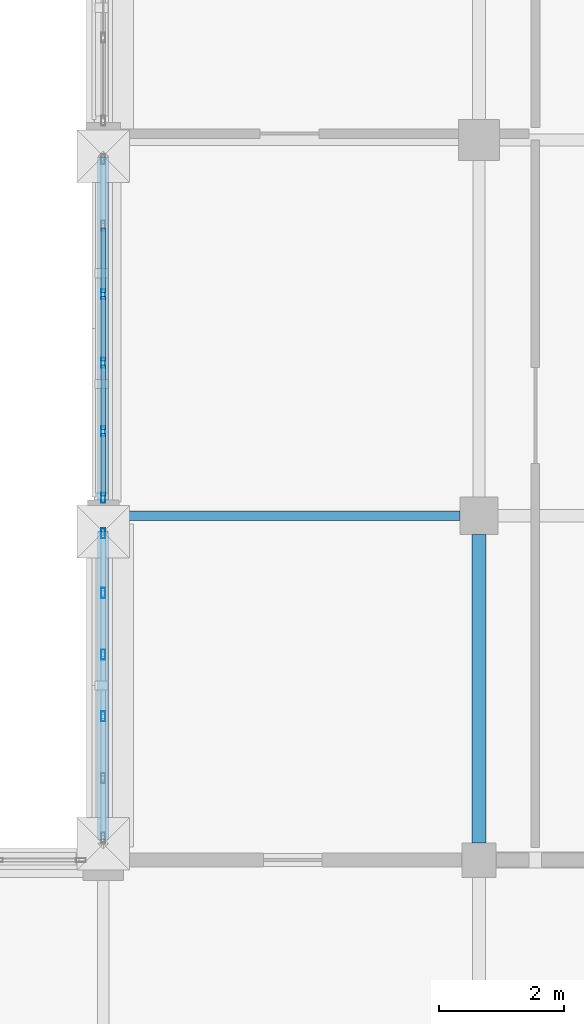
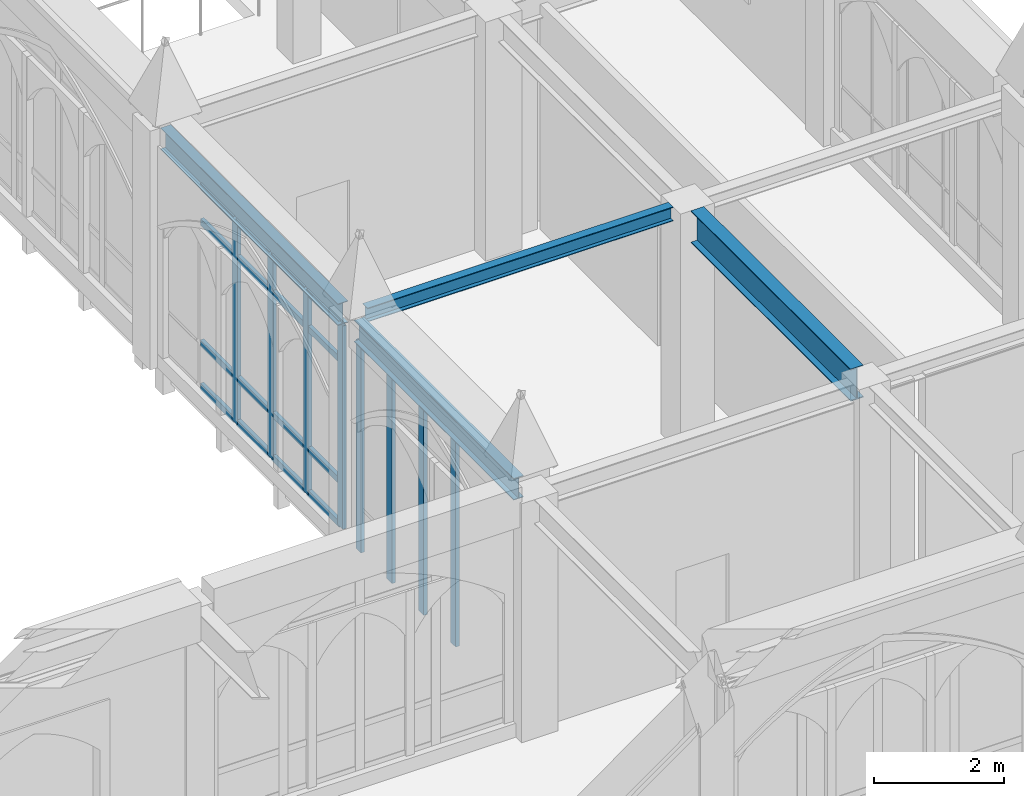
# One storey, part 14 of 143: 24 members, 4 beams, 2 elements without a shape of their own.
"""IFC4 building model written with IfcOpenShell, lengths in metres."""

from ifc_helpers import new_model, si_unit, direction, frame, origin, origin_2d, place, context, subcontext, project, spatial, hollow_rectangle, i_section, extrude, material, layer, layer_set, material_profile, profile_set, type_object, element, aggregate, save


model = new_model("IFC4")

# Units and contexts
model_context = context("Model", 3, precision=1e-05, world=origin(), true_north=direction((0.0, 1.0)))
body_context = subcontext(model_context, "Body", "Model", "MODEL_VIEW")
ifc_project = project(units=[si_unit("LENGTHUNIT", "METRE"), si_unit("AREAUNIT", "SQUARE_METRE"), si_unit("VOLUMEUNIT", "CUBIC_METRE"), si_unit("PLANEANGLEUNIT", "RADIAN"), si_unit("MASSUNIT", "GRAM", prefix="KILO")], contexts=[model_context])

# Site, building, storey
site_placement = place(None, origin())
site = spatial("IfcSite", under=ifc_project, at=site_placement, CompositionType="ELEMENT")
building_placement = place(site_placement, origin())
building = spatial("IfcBuilding", under=site, at=building_placement, Name="Cumevento Cable Car Station", CompositionType="ELEMENT")
storey_placement = place(building_placement, frame((0.0, 0.0, 9.0)))
storey = spatial("IfcBuildingStorey", under=building, at=storey_placement, Name="L03", CompositionType="ELEMENT", Elevation=9.0)

# Curtain wall, members
ifc_material_1 = material(Name="Anodised Bronze Aluminium AW-6063-T6", Category="aluminium")
ifc_layer_1 = layer(ifc_material_1, 0.159912109375)
ifc_layer_set_1 = layer_set([ifc_layer_1], Name="Anodised Bronze Aluminium AW-6063-T6")
curtain_wall_type_1 = type_object("IfcCurtainWallType", Name="Lancet Curtain Wall CW-01 1050", PredefinedType="NOTDEFINED", material=ifc_layer_set_1)
curtain_wall_1_placement = place(storey_placement, origin())
curtain_wall_1 = element("IfcCurtainWall", 1, at=curtain_wall_1_placement, inside=storey, type_object=curtain_wall_type_1, Name="Lancet Curtain Wall CW-01 L03 #80", PredefinedType="NOTDEFINED")
ifc_material_2 = material(Name="Anodised Bronze Aluminium AW-6063-T6", Category="aluminium")
ifc_material_profile_1 = material_profile(ifc_material_2, hollow_rectangle(XDim=0.06494140625, YDim=0.159912109375, WallThickness=0.00390625, at=origin_2d()), Name="ALUM65x160x4")
ifc_profile_set_1 = profile_set([ifc_material_profile_1], Name="Anodised Bronze Aluminium AW-6063-T6")
member_type_1 = type_object("IfcMemberType", Name="Curtain Mullion CWM-01 ALUM65x160x4", PredefinedType="MULLION", material=ifc_profile_set_1)
member_1_placement = place(storey_placement, frame((58.0, 11.794921875, 0.159912109375), z_axis=(0.0, 0.0, 1.0), x_axis=(-1.0, 0.0, 0.0)))
member_1 = element("IfcMember", 2, at=member_1_placement, type_object=member_type_1, Name="CW-01 mullion 3", PredefinedType="MULLION", context=body_context, shape_type="SweptSolid", body=[
    extrude(hollow_rectangle(XDim=0.06494140625, YDim=0.159912109375, WallThickness=0.00390625, at=origin_2d()), origin(), (0.0, 0.0, 1.0), 3.93310546875),
])
member_2_placement = place(storey_placement, frame((58.0, 12.780029296875, 0.159912109375), z_axis=(0.0, 0.0, 1.0), x_axis=(-1.0, 0.0, 0.0)))
member_2 = element("IfcMember", 3, at=member_2_placement, type_object=member_type_1, Name="CW-01 mullion 4", PredefinedType="MULLION", context=body_context, shape_type="SweptSolid", body=[
    extrude(hollow_rectangle(XDim=0.06494140625, YDim=0.159912109375, WallThickness=0.00390625, at=origin_2d()), origin(), (0.0, 0.0, 1.0), 3.93310546875),
])
member_3_placement = place(storey_placement, frame((58.0, 13.764892578125, 0.159912109375), z_axis=(0.0, 0.0, 1.0), x_axis=(-1.0, 0.0, 0.0)))
member_3 = element("IfcMember", 4, at=member_3_placement, type_object=member_type_1, Name="CW-01 mullion 5", PredefinedType="MULLION", context=body_context, shape_type="SweptSolid", body=[
    extrude(hollow_rectangle(XDim=0.06494140625, YDim=0.159912109375, WallThickness=0.00390625, at=origin_2d()), origin(), (0.0, 0.0, 1.0), 3.93310546875),
])
member_4_placement = place(storey_placement, frame((58.0, 14.717529296875, 0.159912109375), z_axis=(0.0, 0.0, 1.0), x_axis=(-1.0, 0.0, 0.0)))
member_4 = element("IfcMember", 5, at=member_4_placement, type_object=member_type_1, Name="CW-01 mullion 6", PredefinedType="MULLION", context=body_context, shape_type="SweptSolid", body=[
    extrude(hollow_rectangle(XDim=0.06494140625, YDim=0.159912109375, WallThickness=0.00390625, at=origin_2d()), origin(), (0.0, 0.0, 1.0), 3.93310546875),
])
aggregate(curtain_wall_1, [member_1, member_2, member_3, member_4])

ifc_material_3 = material(Name="Anodised Bronze Aluminium AW-6063-T6", Category="aluminium")
ifc_layer_2 = layer(ifc_material_3, 0.172119140625)
ifc_layer_set_2 = layer_set([ifc_layer_2], Name="Anodised Bronze Aluminium AW-6063-T6")
curtain_wall_type_2 = type_object("IfcCurtainWallType", Name="Lancet Curtain Wall CW-03 1130", PredefinedType="NOTDEFINED", material=ifc_layer_set_2)
curtain_wall_2_placement = place(storey_placement, origin())
curtain_wall_2 = element("IfcCurtainWall", 6, at=curtain_wall_2_placement, inside=storey, type_object=curtain_wall_type_2, Name="Lancet Curtain Wall CW-03 L03 #82", PredefinedType="NOTDEFINED")
member_5_placement = place(storey_placement, frame((58.0, 15.282470703125, 0.260009765625), z_axis=(0.0, 0.0, 1.0), x_axis=(-1.0, 0.0, 0.0)))
member_5 = element("IfcMember", 7, at=member_5_placement, type_object=member_type_1, Name="CW-03 mullion 1", PredefinedType="MULLION", context=body_context, shape_type="SweptSolid", body=[
    extrude(hollow_rectangle(XDim=0.06494140625, YDim=0.159912109375, WallThickness=0.00390625, at=origin_2d()), origin(), (0.0, 0.0, 1.0), 3.8330078125),
])
member_6_placement = place(storey_placement, frame((58.0, 16.344970703125, 0.260009765625), z_axis=(0.0, 0.0, 1.0), x_axis=(-1.0, 0.0, 0.0)))
member_6 = element("IfcMember", 8, at=member_6_placement, type_object=member_type_1, Name="CW-03 mullion 2", PredefinedType="MULLION", context=body_context, shape_type="SweptSolid", body=[
    extrude(hollow_rectangle(XDim=0.06494140625, YDim=0.159912109375, WallThickness=0.00390625, at=origin_2d()), origin(), (0.0, 0.0, 1.0), 3.8330078125),
])
member_7_placement = place(storey_placement, frame((58.0, 17.43994140625, 0.260009765625), z_axis=(0.0, 0.0, 1.0), x_axis=(-1.0, 0.0, 0.0)))
member_7 = element("IfcMember", 9, at=member_7_placement, type_object=member_type_1, Name="CW-03 mullion 3", PredefinedType="MULLION", context=body_context, shape_type="SweptSolid", body=[
    extrude(hollow_rectangle(XDim=0.06494140625, YDim=0.159912109375, WallThickness=0.00390625, at=origin_2d()), origin(), (0.0, 0.0, 1.0), 3.8330078125),
])
member_8_placement = place(storey_placement, frame((58.0, 18.534912109375, 0.260009765625), z_axis=(0.0, 0.0, 1.0), x_axis=(-1.0, 0.0, 0.0)))
member_8 = element("IfcMember", 10, at=member_8_placement, type_object=member_type_1, Name="CW-03 mullion 4", PredefinedType="MULLION", context=body_context, shape_type="SweptSolid", body=[
    extrude(hollow_rectangle(XDim=0.06494140625, YDim=0.159912109375, WallThickness=0.00390625, at=origin_2d()), origin(), (0.0, 0.0, 1.0), 3.8330078125),
])
ifc_material_4 = material(Name="Anodised Bronze Aluminium AW-6063-T6", Category="aluminium")
ifc_material_profile_2 = material_profile(ifc_material_4, hollow_rectangle(XDim=0.06494140625, YDim=0.1201171875, WallThickness=0.00390625, at=origin_2d()), Name="ALUT65x120x4")
ifc_profile_set_2 = profile_set([ifc_material_profile_2], Name="Anodised Bronze Aluminium AW-6063-T6")
member_type_2 = type_object("IfcMemberType", Name="Curtain Transom CWT-01 ALUT65x120x4", PredefinedType="USERDEFINED", material=ifc_profile_set_2)
member_9_placement = place(storey_placement, frame((58.0, 15.31494140625, 0.29248046875), z_axis=(0.0, 1.0, 0.0), x_axis=(-1.0, 0.0, 0.0)))
member_9 = element("IfcMember", 11, at=member_9_placement, type_object=member_type_2, Name="CW-03 transom 1.1", ObjectType="TRANSOM", PredefinedType="USERDEFINED", context=body_context, shape_type="SweptSolid", body=[
    extrude(hollow_rectangle(XDim=0.06494140625, YDim=0.1201171875, WallThickness=0.00390625, at=origin_2d()), origin(), (0.0, 0.0, 1.0), 0.99755859375),
])
member_10_placement = place(storey_placement, frame((58.0, 15.31494140625, 1.110107421875), z_axis=(0.0, 1.0, 0.0), x_axis=(-1.0, 0.0, 0.0)))
member_10 = element("IfcMember", 12, at=member_10_placement, type_object=member_type_2, Name="CW-03 transom 1.2", ObjectType="TRANSOM", PredefinedType="USERDEFINED", context=body_context, shape_type="SweptSolid", body=[
    extrude(hollow_rectangle(XDim=0.06494140625, YDim=0.1201171875, WallThickness=0.00390625, at=origin_2d()), origin(), (0.0, 0.0, 1.0), 0.99755859375),
])
member_11_placement = place(storey_placement, frame((58.0, 15.31494140625, 3.39306640625), z_axis=(0.0, 1.0, 0.0), x_axis=(-1.0, 0.0, 0.0)))
member_11 = element("IfcMember", 13, at=member_11_placement, type_object=member_type_2, Name="CW-03 transom 1.3", ObjectType="TRANSOM", PredefinedType="USERDEFINED", context=body_context, shape_type="SweptSolid", body=[
    extrude(hollow_rectangle(XDim=0.06494140625, YDim=0.1201171875, WallThickness=0.00390625, at=origin_2d()), origin(), (0.0, 0.0, 1.0), 0.99755859375),
])
member_12_placement = place(storey_placement, frame((58.0, 15.31494140625, 4.060546875), z_axis=(0.0, 1.0, 0.0), x_axis=(-1.0, 0.0, 0.0)))
member_12 = element("IfcMember", 14, at=member_12_placement, type_object=member_type_2, Name="CW-03 transom 1.4", ObjectType="TRANSOM", PredefinedType="USERDEFINED", context=body_context, shape_type="SweptSolid", body=[
    extrude(hollow_rectangle(XDim=0.06494140625, YDim=0.1201171875, WallThickness=0.00390625, at=origin_2d()), origin(), (0.0, 0.0, 1.0), 0.99755859375),
])
member_13_placement = place(storey_placement, frame((58.0, 16.37744140625, 0.29248046875), z_axis=(0.0, 1.0, 0.0), x_axis=(-1.0, 0.0, 0.0)))
member_13 = element("IfcMember", 15, at=member_13_placement, type_object=member_type_2, Name="CW-03 transom 2.1", ObjectType="TRANSOM", PredefinedType="USERDEFINED", context=body_context, shape_type="SweptSolid", body=[
    extrude(hollow_rectangle(XDim=0.06494140625, YDim=0.1201171875, WallThickness=0.00390625, at=origin_2d()), origin(), (0.0, 0.0, 1.0), 1.030029296875),
])
member_14_placement = place(storey_placement, frame((58.0, 16.37744140625, 1.110107421875), z_axis=(0.0, 1.0, 0.0), x_axis=(-1.0, 0.0, 0.0)))
member_14 = element("IfcMember", 16, at=member_14_placement, type_object=member_type_2, Name="CW-03 transom 2.2", ObjectType="TRANSOM", PredefinedType="USERDEFINED", context=body_context, shape_type="SweptSolid", body=[
    extrude(hollow_rectangle(XDim=0.06494140625, YDim=0.1201171875, WallThickness=0.00390625, at=origin_2d()), origin(), (0.0, 0.0, 1.0), 1.030029296875),
])
member_15_placement = place(storey_placement, frame((58.0, 16.37744140625, 3.39306640625), z_axis=(0.0, 1.0, 0.0), x_axis=(-1.0, 0.0, 0.0)))
member_15 = element("IfcMember", 17, at=member_15_placement, type_object=member_type_2, Name="CW-03 transom 2.3", ObjectType="TRANSOM", PredefinedType="USERDEFINED", context=body_context, shape_type="SweptSolid", body=[
    extrude(hollow_rectangle(XDim=0.06494140625, YDim=0.1201171875, WallThickness=0.00390625, at=origin_2d()), origin(), (0.0, 0.0, 1.0), 1.030029296875),
])
member_16_placement = place(storey_placement, frame((58.0, 16.37744140625, 4.060546875), z_axis=(0.0, 1.0, 0.0), x_axis=(-1.0, 0.0, 0.0)))
member_16 = element("IfcMember", 18, at=member_16_placement, type_object=member_type_2, Name="CW-03 transom 2.4", ObjectType="TRANSOM", PredefinedType="USERDEFINED", context=body_context, shape_type="SweptSolid", body=[
    extrude(hollow_rectangle(XDim=0.06494140625, YDim=0.1201171875, WallThickness=0.00390625, at=origin_2d()), origin(), (0.0, 0.0, 1.0), 1.030029296875),
])
member_17_placement = place(storey_placement, frame((58.0, 17.472412109375, 0.29248046875), z_axis=(0.0, 1.0, 0.0), x_axis=(-1.0, 0.0, 0.0)))
member_17 = element("IfcMember", 19, at=member_17_placement, type_object=member_type_2, Name="CW-03 transom 3.1", ObjectType="TRANSOM", PredefinedType="USERDEFINED", context=body_context, shape_type="SweptSolid", body=[
    extrude(hollow_rectangle(XDim=0.06494140625, YDim=0.1201171875, WallThickness=0.00390625, at=origin_2d()), origin(), (0.0, 0.0, 1.0), 1.030029296875),
])
member_18_placement = place(storey_placement, frame((58.0, 17.472412109375, 1.110107421875), z_axis=(0.0, 1.0, 0.0), x_axis=(-1.0, 0.0, 0.0)))
member_18 = element("IfcMember", 20, at=member_18_placement, type_object=member_type_2, Name="CW-03 transom 3.2", ObjectType="TRANSOM", PredefinedType="USERDEFINED", context=body_context, shape_type="SweptSolid", body=[
    extrude(hollow_rectangle(XDim=0.06494140625, YDim=0.1201171875, WallThickness=0.00390625, at=origin_2d()), origin(), (0.0, 0.0, 1.0), 1.030029296875),
])
member_19_placement = place(storey_placement, frame((58.0, 17.472412109375, 3.39306640625), z_axis=(0.0, 1.0, 0.0), x_axis=(-1.0, 0.0, 0.0)))
member_19 = element("IfcMember", 21, at=member_19_placement, type_object=member_type_2, Name="CW-03 transom 3.3", ObjectType="TRANSOM", PredefinedType="USERDEFINED", context=body_context, shape_type="SweptSolid", body=[
    extrude(hollow_rectangle(XDim=0.06494140625, YDim=0.1201171875, WallThickness=0.00390625, at=origin_2d()), origin(), (0.0, 0.0, 1.0), 1.030029296875),
])
member_20_placement = place(storey_placement, frame((58.0, 17.472412109375, 4.060546875), z_axis=(0.0, 1.0, 0.0), x_axis=(-1.0, 0.0, 0.0)))
member_20 = element("IfcMember", 22, at=member_20_placement, type_object=member_type_2, Name="CW-03 transom 3.4", ObjectType="TRANSOM", PredefinedType="USERDEFINED", context=body_context, shape_type="SweptSolid", body=[
    extrude(hollow_rectangle(XDim=0.06494140625, YDim=0.1201171875, WallThickness=0.00390625, at=origin_2d()), origin(), (0.0, 0.0, 1.0), 1.030029296875),
])
member_21_placement = place(storey_placement, frame((58.0, 18.5673828125, 0.29248046875), z_axis=(0.0, 1.0, 0.0), x_axis=(-1.0, 0.0, 0.0)))
member_21 = element("IfcMember", 23, at=member_21_placement, type_object=member_type_2, Name="CW-03 transom 4.1", ObjectType="TRANSOM", PredefinedType="USERDEFINED", context=body_context, shape_type="SweptSolid", body=[
    extrude(hollow_rectangle(XDim=0.06494140625, YDim=0.1201171875, WallThickness=0.00390625, at=origin_2d()), origin(), (0.0, 0.0, 1.0), 1.030029296875),
])
member_22_placement = place(storey_placement, frame((58.0, 18.5673828125, 1.110107421875), z_axis=(0.0, 1.0, 0.0), x_axis=(-1.0, 0.0, 0.0)))
member_22 = element("IfcMember", 24, at=member_22_placement, type_object=member_type_2, Name="CW-03 transom 4.2", ObjectType="TRANSOM", PredefinedType="USERDEFINED", context=body_context, shape_type="SweptSolid", body=[
    extrude(hollow_rectangle(XDim=0.06494140625, YDim=0.1201171875, WallThickness=0.00390625, at=origin_2d()), origin(), (0.0, 0.0, 1.0), 1.030029296875),
])
member_23_placement = place(storey_placement, frame((58.0, 18.5673828125, 3.39306640625), z_axis=(0.0, 1.0, 0.0), x_axis=(-1.0, 0.0, 0.0)))
member_23 = element("IfcMember", 25, at=member_23_placement, type_object=member_type_2, Name="CW-03 transom 4.3", ObjectType="TRANSOM", PredefinedType="USERDEFINED", context=body_context, shape_type="SweptSolid", body=[
    extrude(hollow_rectangle(XDim=0.06494140625, YDim=0.1201171875, WallThickness=0.00390625, at=origin_2d()), origin(), (0.0, 0.0, 1.0), 1.030029296875),
])
member_24_placement = place(storey_placement, frame((58.0, 18.5673828125, 4.060546875), z_axis=(0.0, 1.0, 0.0), x_axis=(-1.0, 0.0, 0.0)))
member_24 = element("IfcMember", 26, at=member_24_placement, type_object=member_type_2, Name="CW-03 transom 4.4", ObjectType="TRANSOM", PredefinedType="USERDEFINED", context=body_context, shape_type="SweptSolid", body=[
    extrude(hollow_rectangle(XDim=0.06494140625, YDim=0.1201171875, WallThickness=0.00390625, at=origin_2d()), origin(), (0.0, 0.0, 1.0), 1.030029296875),
])
aggregate(curtain_wall_2, [member_5, member_6, member_7, member_8, member_9, member_10, member_11, member_12, member_13, member_14, member_15, member_16, member_17, member_18, member_19, member_20, member_21, member_22, member_23, member_24])

# Beams
ifc_material_5 = material(Name="Steel ASTM A572 Grade 50", Category="steel")
ifc_material_profile_3 = material_profile(ifc_material_5, i_section(OverallWidth=0.22802734375, OverallDepth=0.60791015625, WebThickness=0.01123046875, FlangeThickness=0.017333984375, at=origin_2d()), Name="W610x113.0")
ifc_profile_set_3 = profile_set([ifc_material_profile_3], Name="Steel ASTM A572 Grade 50")
beam_type_1 = type_object("IfcBeamType", Name="Structural Beam BM-02 W610x113.0", PredefinedType="BEAM", material=ifc_profile_set_3)
beam_1_placement = place(storey_placement, frame((64.0, 9.77490234375, 4.196044921875), z_axis=(0.0, 1.0, 0.0), x_axis=(-1.0, 0.0, 0.0)))
element("IfcBeam", 27, at=beam_1_placement, inside=storey, type_object=beam_type_1, Name="Beam BM-02 L03 #979", PredefinedType="BEAM", context=body_context, shape_type="SweptSolid", body=[
    extrude(i_section(OverallWidth=0.22802734375, OverallDepth=0.60791015625, WebThickness=0.01123046875, FlangeThickness=0.017333984375, at=origin_2d()), origin(), (0.0, 0.0, 1.0), 4.925048828125),
])
ifc_material_6 = material(Name="Steel ASTM A572 Grade 50", Category="steel")
ifc_material_profile_4 = material_profile(ifc_material_6, i_section(OverallWidth=0.14794921875, OverallDepth=0.26611328125, WebThickness=0.007568359375, FlangeThickness=0.012939453125, at=origin_2d()), Name="W250x44.8")
ifc_profile_set_4 = profile_set([ifc_material_profile_4], Name="Steel ASTM A572 Grade 50")
beam_type_2 = type_object("IfcBeamType", Name="Structural Beam BM-07 W250x44.8", PredefinedType="BEAM", material=ifc_profile_set_4)
beam_2_placement = place(storey_placement, frame((58.25, 15.0, 4.366943359375), z_axis=(1.0, 0.0, 0.0), x_axis=(0.0, 1.0, 0.0)))
element("IfcBeam", 28, at=beam_2_placement, inside=storey, type_object=beam_type_2, Name="Beam BM-07 L03 #964", PredefinedType="BEAM", context=body_context, shape_type="SweptSolid", body=[
    extrude(i_section(OverallWidth=0.14794921875, OverallDepth=0.26611328125, WebThickness=0.007568359375, FlangeThickness=0.012939453125, at=origin_2d()), origin(), (0.0, 0.0, 1.0), 5.449951171875),
])
ifc_material_7 = material(Name="Steel ASTM A572 Grade 50", Category="steel")
ifc_material_profile_5 = material_profile(ifc_material_7, i_section(OverallWidth=0.177978515625, OverallDepth=0.406982421875, WebThickness=0.0078125, FlangeThickness=0.0126953125, at=origin_2d()), Name="W410x60.0")
ifc_profile_set_5 = profile_set([ifc_material_profile_5], Name="Steel ASTM A572 Grade 50")
beam_type_3 = type_object("IfcBeamType", Name="Structural Spandrel SP-01 W410x60.0", PredefinedType="SPANDREL", material=ifc_profile_set_5)
beam_3_placement = place(storey_placement, frame((58.0, 9.824951171875, 4.29638671875), z_axis=(0.0, 1.0, 0.0), x_axis=(-1.0, 0.0, 0.0)))
element("IfcBeam", 29, at=beam_3_placement, inside=storey, type_object=beam_type_3, Name="Beam SP-01 L03 #974", PredefinedType="SPANDREL", context=body_context, shape_type="SweptSolid", body=[
    extrude(i_section(OverallWidth=0.177978515625, OverallDepth=0.406982421875, WebThickness=0.0078125, FlangeThickness=0.0126953125, at=origin_2d()), origin(), (0.0, 0.0, 1.0), 4.925048828125),
])
beam_4_placement = place(storey_placement, frame((58.0, 15.25, 4.29638671875), z_axis=(0.0, 1.0, 0.0), x_axis=(-1.0, 0.0, 0.0)))
element("IfcBeam", 30, at=beam_4_placement, inside=storey, type_object=beam_type_3, Name="Beam SP-01 L03 #975", PredefinedType="SPANDREL", context=body_context, shape_type="SweptSolid", body=[
    extrude(i_section(OverallWidth=0.177978515625, OverallDepth=0.406982421875, WebThickness=0.0078125, FlangeThickness=0.0126953125, at=origin_2d()), origin(), (0.0, 0.0, 1.0), 5.47509765625),
])

save(model, "model.ifc")
